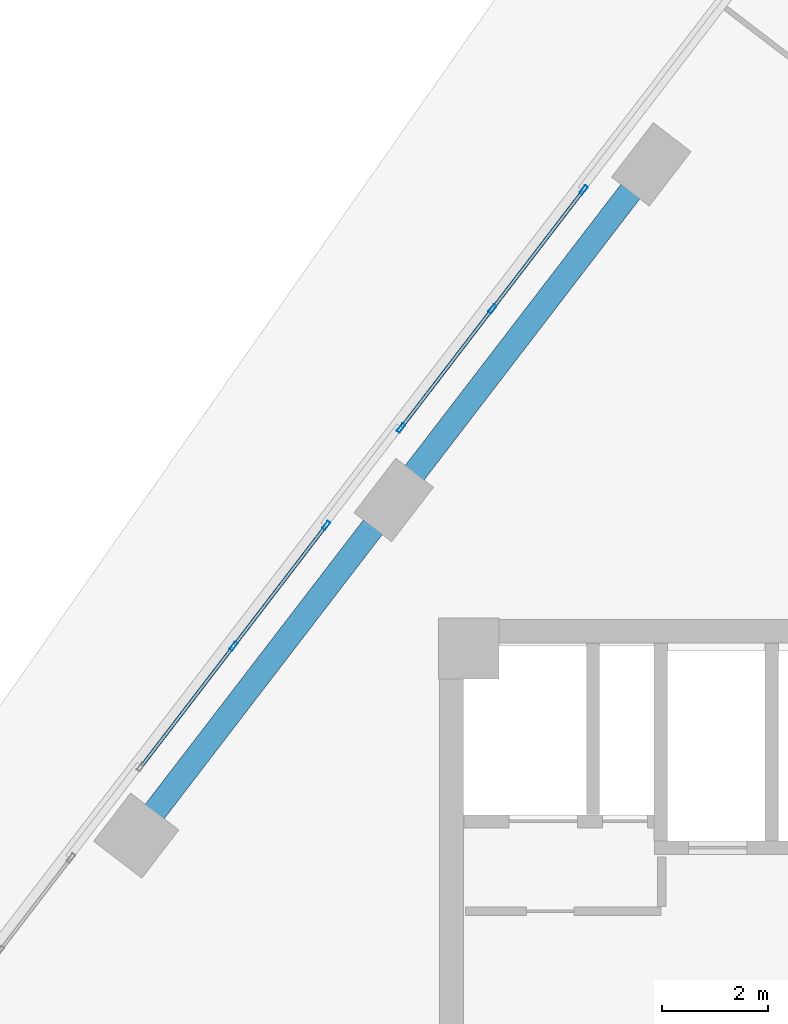
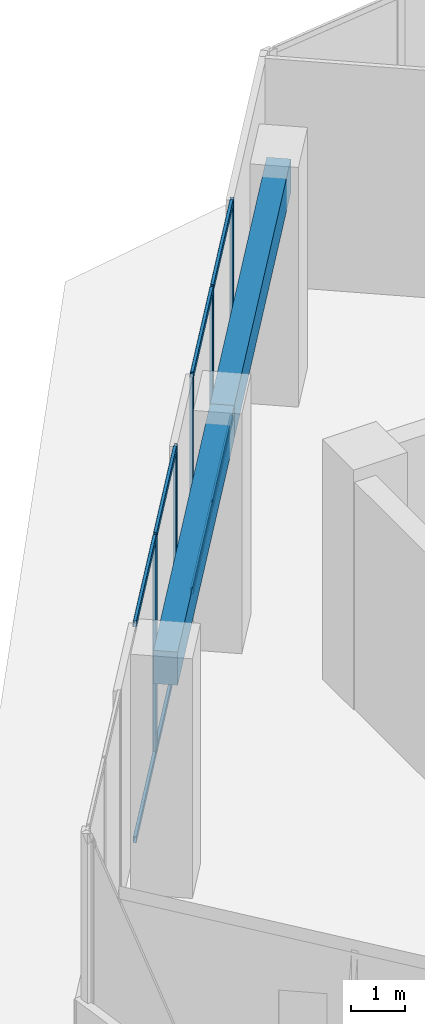
# One storey, part 11 of 23: 13 members, 2 beams, 2 elements without a shape of their own.
"""IFC4 building model written with IfcOpenShell, lengths in metres."""

from ifc_helpers import new_model, si_unit, direction, frame, origin, origin_2d, place, context, subcontext, project, spatial, rectangle, hollow_rectangle, extrude, source, transform, mapped, material, material_profile, profile_set, type_object, element, aggregate, save


model = new_model("IFC4")

# Units and contexts
model_context = context("Model", 3, precision=1e-05, world=origin(), true_north=direction((0.0, 1.0)))
body_context = subcontext(model_context, "Body", "Model", "MODEL_VIEW")
ifc_project = project(units=[si_unit("LENGTHUNIT", "METRE"), si_unit("AREAUNIT", "SQUARE_METRE"), si_unit("VOLUMEUNIT", "CUBIC_METRE"), si_unit("PLANEANGLEUNIT", "RADIAN"), si_unit("MASSUNIT", "GRAM", prefix="KILO")], contexts=[model_context])

# Site, building, storey
site_placement = place(None, origin())
site = spatial("IfcSite", under=ifc_project, at=site_placement, CompositionType="ELEMENT")
building_placement = place(site_placement, origin())
building = spatial("IfcBuilding", under=site, at=building_placement, Name="Torre Montelarca", CompositionType="ELEMENT")
storey_placement = place(building_placement, frame((0.0, 0.0, 204.39990234375)))
storey = spatial("IfcBuildingStorey", under=building, at=storey_placement, Name="L46", CompositionType="ELEMENT", Elevation=204.39990234375)

# Beams
ifc_material_1 = material(Name="Concrete C55/67", Category="concrete")
ifc_material_profile_1 = material_profile(ifc_material_1, rectangle(XDim=0.449951171875, YDim=0.75, at=origin_2d()), Name="RCB450X750", Category="concrete")
ifc_profile_set_1 = profile_set([ifc_material_profile_1], Name="Concrete C55/67")
beam_type = type_object("IfcBeamType", Name="BM-SP-RC750-EXT", PredefinedType="SPANDREL", material=ifc_profile_set_1)
shared_shape_1 = source(origin(), body_context, "Body", "SweptSolid", [
    extrude(rectangle(XDim=0.449951171875, YDim=0.75, at=origin_2d()), origin(), (0.0, 0.0, 1.0), 8.0),
])
for number, where, z_axis, x_axis, name in (
    (1, (3.261962890625, 35.910888671875, 4.7451171875), (0.608772331974, 0.793344974033, 0.0), (-0.793344974033, 0.608772331974, 0.0), "L46 Grid Girder Y 24.0-32.0 at X=4.7"),
    (2, (8.132080078125, 42.257568359375, 4.7451171875), (0.608757593073, 0.793356283694, 0.0), (-0.793356283694, 0.608757593073, 0.0), "L46 Grid Girder Y 32.0-40.0 at X=4.7"),
):
    element("IfcBeam", number, at=place(storey_placement, frame(where, z_axis=z_axis, x_axis=x_axis)), inside=storey, type_object=beam_type, Name=name, PredefinedType="SPANDREL", context=body_context, shape_type="MappedRepresentation", body=[
        mapped(shared_shape_1, transform((0.0, 0.0, 0.0), scale=1.0)),
    ])

# Curtain wall, members
ifc_material_2 = material(Name="Insulated low-E laminated glass", Category="glass")
curtain_wall_type = type_object("IfcCurtainWallType", Name="CW-SYS-Z2", PredefinedType="USERDEFINED", material=ifc_material_2)
curtain_wall_1_placement = place(storey_placement, origin())
curtain_wall_1 = element("IfcCurtainWall", 3, at=curtain_wall_1_placement, inside=storey, type_object=curtain_wall_type, Name="L46 Curtain Wall Run CW-T3-L46-E10-B1", ObjectType="UNITISED GLAZING", PredefinedType="USERDEFINED")
ifc_material_3 = material(Name="Anodised aluminium AA 6063-T6", Category="aluminium")
ifc_material_profile_2 = material_profile(ifc_material_3, hollow_rectangle(XDim=0.06494140625, YDim=0.139892578125, WallThickness=0.00390625, InnerFilletRadius=0.00390625, OuterFilletRadius=0.008056640625, at=origin_2d()), Name="ALU65X140X4", Category="aluminium")
ifc_profile_set_2 = profile_set([ifc_material_profile_2], Name="Anodised aluminium AA 6063-T6")
member_type_1 = type_object("IfcMemberType", Name="CWT-ALU140", PredefinedType="USERDEFINED", material=ifc_profile_set_2)
shared_shape_2 = source(origin(), body_context, "Body", "SweptSolid", [
    extrude(hollow_rectangle(XDim=0.06494140625, YDim=0.139892578125, WallThickness=0.00390625, InnerFilletRadius=0.00390625, OuterFilletRadius=0.008056640625, at=origin_2d()), origin(), (0.0, 0.0, 1.0), 2.7724609375),
])
member_1_placement = place(storey_placement, frame((9.97607421875, 45.843505859375, 0.03271484375), z_axis=(-0.608769807584, -0.793346911114, 0.0), x_axis=(0.793346911114, -0.608769807584, 0.0)))
member_1 = element("IfcMember", 4, at=member_1_placement, type_object=member_type_1, Name="CW transom 2.1", ObjectType="TRANSOM", PredefinedType="USERDEFINED", context=body_context, shape_type="MappedRepresentation", body=[
    mapped(shared_shape_2, transform((0.0, 0.0, 0.0), scale=1.0)),
])
member_2_placement = place(storey_placement, frame((9.97607421875, 45.843505859375, 4.8876953125), z_axis=(-0.608769807584, -0.793346911114, 0.0), x_axis=(0.793346911114, -0.608769807584, 0.0)))
member_2 = element("IfcMember", 5, at=member_2_placement, type_object=member_type_1, Name="CW transom 2.2", ObjectType="TRANSOM", PredefinedType="USERDEFINED", context=body_context, shape_type="MappedRepresentation", body=[
    mapped(shared_shape_2, transform((0.0, 0.0, 0.0), scale=1.0)),
])
shared_shape_3 = source(origin(), body_context, "Body", "SweptSolid", [
    extrude(hollow_rectangle(XDim=0.06494140625, YDim=0.139892578125, WallThickness=0.00390625, InnerFilletRadius=0.00390625, OuterFilletRadius=0.008056640625, at=origin_2d()), origin(), (0.0, 0.0, 1.0), 2.772705078125),
])
member_3_placement = place(storey_placement, frame((11.70361328125, 48.0947265625, 0.03271484375), z_axis=(-0.608782701095, -0.793337017192, 0.0), x_axis=(0.793337017192, -0.608782701095, 0.0)))
member_3 = element("IfcMember", 6, at=member_3_placement, type_object=member_type_1, Name="CW transom 1.1", ObjectType="TRANSOM", PredefinedType="USERDEFINED", context=body_context, shape_type="MappedRepresentation", body=[
    mapped(shared_shape_3, transform((0.0, 0.0, 0.0), scale=1.0)),
])
member_4_placement = place(storey_placement, frame((11.70361328125, 48.0947265625, 4.8876953125), z_axis=(-0.608782701095, -0.793337017192, 0.0), x_axis=(0.793337017192, -0.608782701095, 0.0)))
member_4 = element("IfcMember", 7, at=member_4_placement, type_object=member_type_1, Name="CW transom 1.2", ObjectType="TRANSOM", PredefinedType="USERDEFINED", context=body_context, shape_type="MappedRepresentation", body=[
    mapped(shared_shape_3, transform((0.0, 0.0, 0.0), scale=1.0)),
])
ifc_material_profile_3 = material_profile(ifc_material_3, hollow_rectangle(XDim=0.06494140625, YDim=0.179931640625, WallThickness=0.00390625, InnerFilletRadius=0.00390625, OuterFilletRadius=0.008056640625, at=origin_2d()), Name="ALU65X180X4", Category="aluminium")
ifc_profile_set_3 = profile_set([ifc_material_profile_3], Name="Anodised aluminium AA 6063-T6")
member_type_2 = type_object("IfcMemberType", Name="CWM-ALU180", PredefinedType="MULLION", material=ifc_profile_set_3)
shared_shape_4 = source(origin(), body_context, "Body", "SweptSolid", [
    extrude(hollow_rectangle(XDim=0.06494140625, YDim=0.179931640625, WallThickness=0.00390625, InnerFilletRadius=0.00390625, OuterFilletRadius=0.008056640625, at=origin_2d()), origin(), (0.0, 0.0, 1.0), 4.920166015625),
])
member_5_placement = place(storey_placement, frame((11.723388671875, 48.12060546875, 0.0), z_axis=(0.0, 0.0, 1.0), x_axis=(0.793347481753, -0.608769063928, 0.0)))
member_5 = element("IfcMember", 8, at=member_5_placement, type_object=member_type_2, Name="CW mullion 1", PredefinedType="MULLION", context=body_context, shape_type="MappedRepresentation", body=[
    mapped(shared_shape_4, transform((0.0, 0.0, 0.0), scale=1.0)),
])
member_6_placement = place(storey_placement, frame((9.995849609375, 45.869384765625, 0.0), z_axis=(0.0, 0.0, 1.0), x_axis=(0.793347481753, -0.608769063928, 0.0)))
member_6 = element("IfcMember", 9, at=member_6_placement, type_object=member_type_2, Name="CW mullion 2", PredefinedType="MULLION", context=body_context, shape_type="MappedRepresentation", body=[
    mapped(shared_shape_4, transform((0.0, 0.0, 0.0), scale=1.0)),
])
member_7_placement = place(storey_placement, frame((8.2685546875, 43.6181640625, 0.0), z_axis=(0.0, 0.0, 1.0), x_axis=(0.793347481753, -0.608769063928, 0.0)))
member_7 = element("IfcMember", 10, at=member_7_placement, type_object=member_type_2, Name="CW mullion 3", PredefinedType="MULLION", context=body_context, shape_type="MappedRepresentation", body=[
    mapped(shared_shape_4, transform((0.0, 0.0, 0.0), scale=1.0)),
])
aggregate(curtain_wall_1, [member_5, member_6, member_7, member_3, member_4, member_1, member_2])

curtain_wall_2_placement = place(storey_placement, origin())
curtain_wall_2 = element("IfcCurtainWall", 11, at=curtain_wall_2_placement, inside=storey, type_object=curtain_wall_type, Name="L46 Curtain Wall Run CW-T3-L46-E10-B2", ObjectType="UNITISED GLAZING", PredefinedType="USERDEFINED")
member_8_placement = place(storey_placement, frame((6.85302734375, 41.773681640625, 0.0), z_axis=(0.0, 0.0, 1.0), x_axis=(0.793345831546, -0.608771214471, 0.0)))
member_8 = element("IfcMember", 12, at=member_8_placement, type_object=member_type_2, Name="CW mullion 1", PredefinedType="MULLION", context=body_context, shape_type="MappedRepresentation", body=[
    mapped(shared_shape_4, transform((0.0, 0.0, 0.0), scale=1.0)),
])
member_9_placement = place(storey_placement, frame((5.102783203125, 39.49267578125, 0.0), z_axis=(0.0, 0.0, 1.0), x_axis=(0.793345831546, -0.608771214471, 0.0)))
member_9 = element("IfcMember", 13, at=member_9_placement, type_object=member_type_2, Name="CW mullion 2", PredefinedType="MULLION", context=body_context, shape_type="MappedRepresentation", body=[
    mapped(shared_shape_4, transform((0.0, 0.0, 0.0), scale=1.0)),
])
shared_shape_5 = source(origin(), body_context, "Body", "SweptSolid", [
    extrude(hollow_rectangle(XDim=0.06494140625, YDim=0.139892578125, WallThickness=0.00390625, InnerFilletRadius=0.00390625, OuterFilletRadius=0.008056640625, at=origin_2d()), origin(), (0.0, 0.0, 1.0), 2.809814453125),
])
member_10_placement = place(storey_placement, frame((6.833251953125, 41.747802734375, 0.03271484375), z_axis=(-0.60873612306, -0.793372757588, 0.0), x_axis=(0.793372757588, -0.60873612306, 0.0)))
member_10 = element("IfcMember", 14, at=member_10_placement, type_object=member_type_1, Name="CW transom 1.1", ObjectType="TRANSOM", PredefinedType="USERDEFINED", context=body_context, shape_type="MappedRepresentation", body=[
    mapped(shared_shape_5, transform((0.0, 0.0, 0.0), scale=1.0)),
])
member_11_placement = place(storey_placement, frame((6.833251953125, 41.747802734375, 4.8876953125), z_axis=(-0.60873612306, -0.793372757588, 0.0), x_axis=(0.793372757588, -0.60873612306, 0.0)))
member_11 = element("IfcMember", 15, at=member_11_placement, type_object=member_type_1, Name="CW transom 1.2", ObjectType="TRANSOM", PredefinedType="USERDEFINED", context=body_context, shape_type="MappedRepresentation", body=[
    mapped(shared_shape_5, transform((0.0, 0.0, 0.0), scale=1.0)),
])
shared_shape_6 = source(origin(), body_context, "Body", "SweptSolid", [
    extrude(hollow_rectangle(XDim=0.06494140625, YDim=0.139892578125, WallThickness=0.00390625, InnerFilletRadius=0.00390625, OuterFilletRadius=0.008056640625, at=origin_2d()), origin(), (0.0, 0.0, 1.0), 2.81005859375),
])
member_12_placement = place(storey_placement, frame((5.0830078125, 39.467041015625, 0.03271484375), z_axis=(-0.60869416222, -0.793404951383, 0.0), x_axis=(0.793404951383, -0.60869416222, 0.0)))
member_12 = element("IfcMember", 16, at=member_12_placement, type_object=member_type_1, Name="CW transom 2.1", ObjectType="TRANSOM", PredefinedType="USERDEFINED", context=body_context, shape_type="MappedRepresentation", body=[
    mapped(shared_shape_6, transform((0.0, 0.0, 0.0), scale=1.0)),
])
member_13_placement = place(storey_placement, frame((5.0830078125, 39.467041015625, 4.8876953125), z_axis=(-0.60869416222, -0.793404951383, 0.0), x_axis=(0.793404951383, -0.60869416222, 0.0)))
member_13 = element("IfcMember", 17, at=member_13_placement, type_object=member_type_1, Name="CW transom 2.2", ObjectType="TRANSOM", PredefinedType="USERDEFINED", context=body_context, shape_type="MappedRepresentation", body=[
    mapped(shared_shape_6, transform((0.0, 0.0, 0.0), scale=1.0)),
])
aggregate(curtain_wall_2, [member_8, member_9, member_10, member_11, member_12, member_13])

save(model, "model.ifc")
